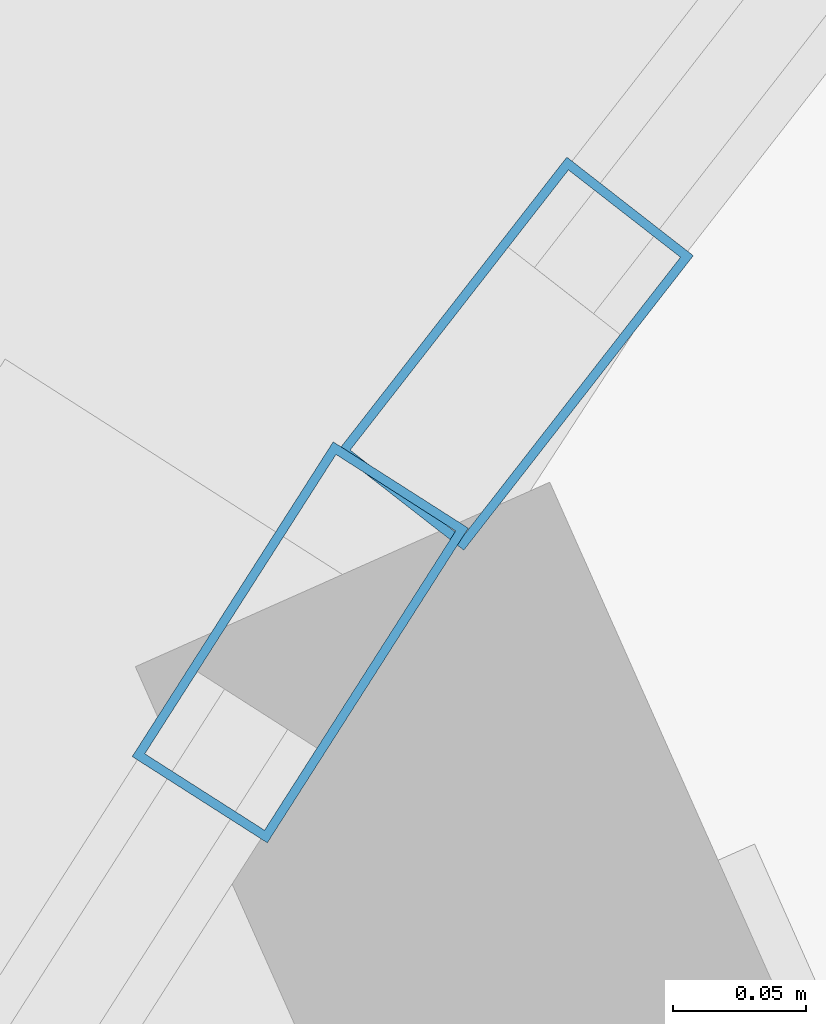
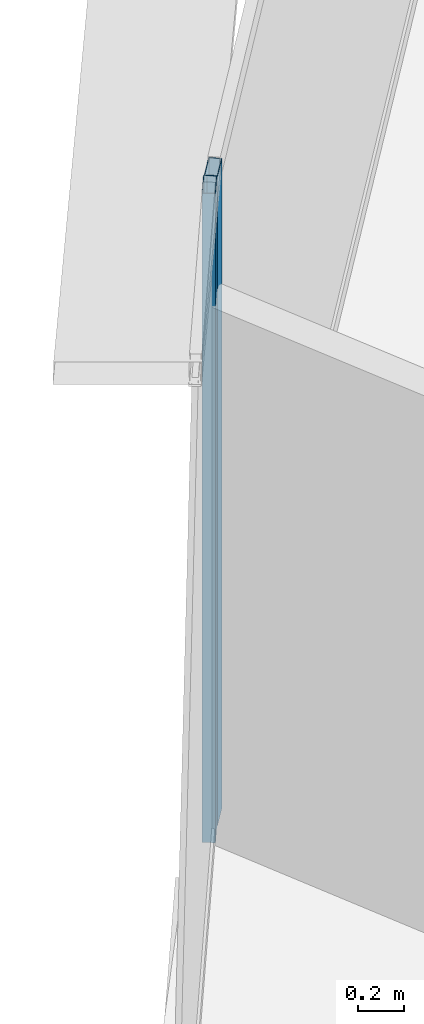
# One storey, part 19 of 37: 2 members, 2 elements without a shape of their own.
"""IFC4 building model written with IfcOpenShell, lengths in metres."""

from ifc_helpers import new_model, si_unit, direction, frame, origin, origin_2d, place, context, subcontext, project, spatial, hollow_rectangle, extrude, source, transform, mapped, material, layer, layer_set, material_profile, profile_set, type_object, element, aggregate, save


model = new_model("IFC4")

# Units and contexts
model_context = context("Model", 3, precision=1e-05, world=origin(), true_north=direction((0.0, 1.0)))
body_context = subcontext(model_context, "Body", "Model", "MODEL_VIEW")
ifc_project = project(units=[si_unit("LENGTHUNIT", "METRE"), si_unit("AREAUNIT", "SQUARE_METRE"), si_unit("VOLUMEUNIT", "CUBIC_METRE"), si_unit("PLANEANGLEUNIT", "RADIAN"), si_unit("MASSUNIT", "GRAM", prefix="KILO"), si_unit("THERMODYNAMICTEMPERATUREUNIT", "KELVIN"), si_unit("POWERUNIT", "WATT")], contexts=[model_context])

# Site, building, storey
site_placement = place(None, origin())
site = spatial("IfcSite", under=ifc_project, at=site_placement, CompositionType="ELEMENT")
building_placement = place(site_placement, origin())
building = spatial("IfcBuilding", under=site, at=building_placement, Name="Yunzhuo Pagoda Commons", CompositionType="ELEMENT")
storey_placement = place(building_placement, frame((0.0, 0.0, 281.2900390625)))
storey = spatial("IfcBuildingStorey", under=building, at=storey_placement, Name="L70", CompositionType="ELEMENT", Elevation=281.2900390625)

# Curtain wall, member
ifc_material = material(Name="Anodized aluminium 6063-T6", Category="aluminium")
ifc_layer = layer(ifc_material, 0.139892578125)
ifc_layer_set = layer_set([ifc_layer], Name="Anodized aluminium 6063-T6")
curtain_wall_type = type_object("IfcCurtainWallType", Name="CW-HI High-Zone Ribbon Curtain Wall", PredefinedType="NOTDEFINED", material=ifc_layer_set)
curtain_wall_1_placement = place(storey_placement, origin())
curtain_wall_1 = element("IfcCurtainWall", 1, at=curtain_wall_1_placement, inside=storey, type_object=curtain_wall_type, Name="L70 curtain wall CW-L70-F3B2", PredefinedType="NOTDEFINED")
ifc_material_profile = material_profile(ifc_material, hollow_rectangle(XDim=0.06005859375, YDim=0.139892578125, WallThickness=0.00341796875, at=origin_2d()), Name="Anodized aluminium 6063-T6")
ifc_profile_set = profile_set([ifc_material_profile], Name="Anodized aluminium 6063-T6")
member_type = type_object("IfcMemberType", Name="CW-HI-M Mullion RHS 140x60x3.5", PredefinedType="MULLION", material=ifc_profile_set)
shared_shape = source(origin(), body_context, "Body", "SweptSolid", [
    extrude(hollow_rectangle(XDim=0.06005859375, YDim=0.139892578125, WallThickness=0.00341796875, at=origin_2d()), origin(), (0.0, 0.0, 1.0), 3.469970703125),
])
member_1_placement = place(storey_placement, frame((34.473388671875, 64.020263671875, 0.0), z_axis=(0.0, 0.0, 1.0), x_axis=(0.842779157761, -0.538259501768, 0.0)))
member_1 = element("IfcMember", 2, at=member_1_placement, type_object=member_type, Name="CW mullion 1", PredefinedType="MULLION", context=body_context, shape_type="MappedRepresentation", body=[
    mapped(shared_shape, transform((0.0, 0.0, 0.0), scale=1.0)),
])
aggregate(curtain_wall_1, [member_1])

curtain_wall_2_placement = place(storey_placement, origin())
curtain_wall_2 = element("IfcCurtainWall", 3, at=curtain_wall_2_placement, inside=storey, type_object=curtain_wall_type, Name="L70 curtain wall CW-L70-F3B1", PredefinedType="NOTDEFINED")
member_2_placement = place(storey_placement, frame((34.553955078125, 64.12841796875, 0.0), z_axis=(0.0, 0.0, 1.0), x_axis=(0.78878314481, -0.614671579353, 0.0)))
member_2 = element("IfcMember", 4, at=member_2_placement, type_object=member_type, Name="CW mullion 2", PredefinedType="MULLION", context=body_context, shape_type="MappedRepresentation", body=[
    mapped(shared_shape, transform((0.0, 0.0, 0.0), scale=1.0)),
])
aggregate(curtain_wall_2, [member_2])

save(model, "model.ifc")
